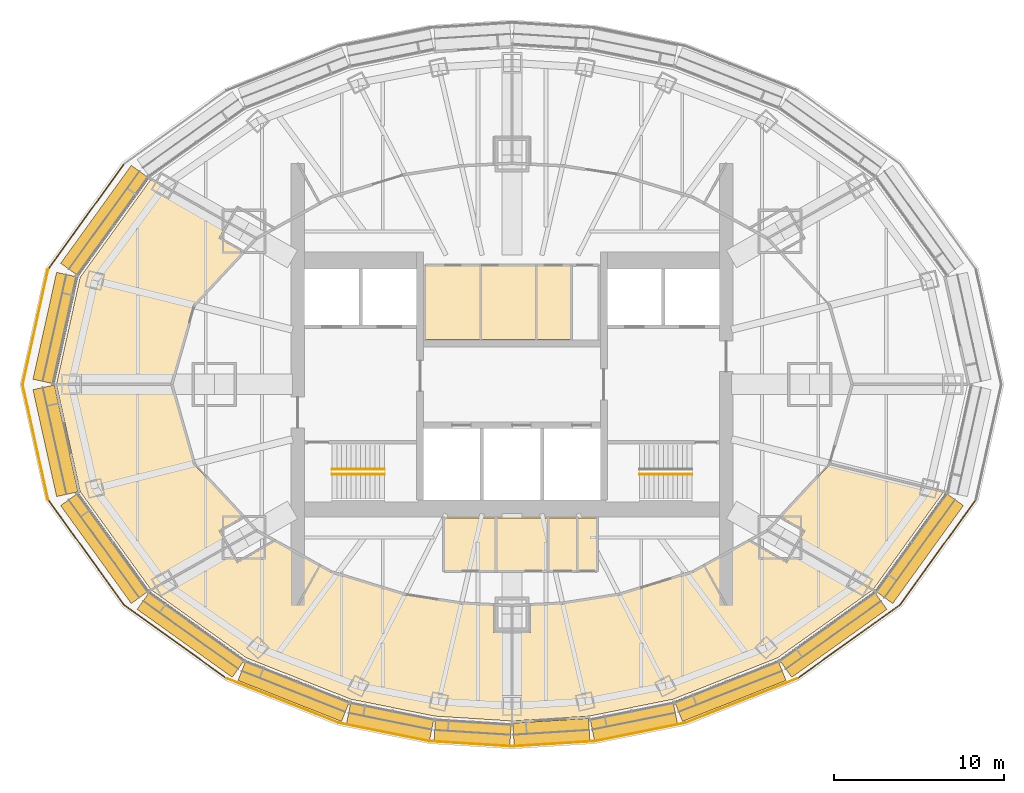
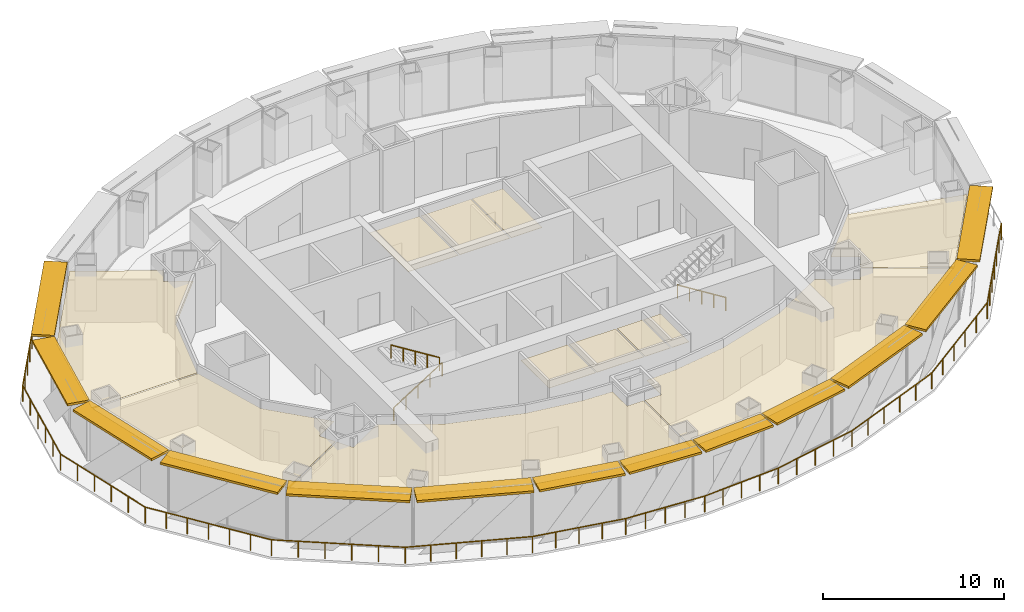
# One storey, part 16 of 17: 16 railings, 13 shading devices, 12 coverings.
"""IFC4 building model written with IfcOpenShell, lengths in metres."""

from ifc_helpers import new_model, si_unit, direction, frame, origin, origin_2d, place, context, subcontext, project, spatial, polyline, rectangle, circle, outline, extrude, material, layer, layer_set, type_object, element, save


model = new_model("IFC4")

# Units and contexts
model_context = context("Model", 3, precision=1e-05, world=origin(), true_north=direction((0.0, 1.0)))
body_context = subcontext(model_context, "Body", "Model", "MODEL_VIEW")
ifc_project = project(units=[si_unit("LENGTHUNIT", "METRE"), si_unit("AREAUNIT", "SQUARE_METRE"), si_unit("VOLUMEUNIT", "CUBIC_METRE"), si_unit("PLANEANGLEUNIT", "RADIAN"), si_unit("MASSUNIT", "GRAM", prefix="KILO")], contexts=[model_context])

# Site, building, storey
site_placement = place(None, origin())
site = spatial("IfcSite", under=ifc_project, at=site_placement, CompositionType="ELEMENT")
building_placement = place(site_placement, origin())
building = spatial("IfcBuilding", under=site, at=building_placement, Name="Lantaw Convention Tower", CompositionType="ELEMENT")
storey_placement = place(building_placement, frame((0.0, 0.0, 199.0)))
storey = spatial("IfcBuildingStorey", under=building, at=storey_placement, Name="L46", CompositionType="ELEMENT", Elevation=199.0)

# Railings
ifc_material_1 = material(Name="Stainless steel", Category="steel")
railing_type_1 = type_object("IfcRailingType", Name="Stair handrail", PredefinedType="HANDRAIL", material=ifc_material_1)
railing_1_placement = place(storey_placement, frame((-10.580078125, -5.280029296875, 0.175048828125)))
element("IfcRailing", 1, at=railing_1_placement, inside=storey, type_object=railing_type_1, Name="Stair handrail S1", PredefinedType="HANDRAIL", context=body_context, shape_type="SweptSolid", body=[
    extrude(circle(Radius=0.02392578125, at=origin_2d()), frame((0.0, 0.0, 0.8759765625), z_axis=(0.847998304005, 0.0, 0.529998940003), x_axis=(0.0, 1.0, 0.0)), (0.0, 0.0, 1.0), 3.632080078125),
    extrude(circle(Radius=0.02099609375, at=origin_2d()), origin(), (0.0, 0.0, 1.0), 0.851806640625),
    extrude(circle(Radius=0.02099609375, at=origin_2d()), frame((0.77001953125, 0.0, 0.481201171875)), (0.0, 0.0, 1.0), 0.851806640625),
    extrude(circle(Radius=0.02099609375, at=origin_2d()), frame((1.5400390625, 0.0, 0.96240234375)), (0.0, 0.0, 1.0), 0.851806640625),
    extrude(circle(Radius=0.02099609375, at=origin_2d()), frame((2.31005859375, 0.0, 1.44384765625)), (0.0, 0.0, 1.0), 0.851806640625),
    extrude(circle(Radius=0.02099609375, at=origin_2d()), frame((3.080078125, 0.0, 1.925048828125)), (0.0, 0.0, 1.0), 0.851806640625),
])
for number, where, name in (
    (2, (-7.5, -4.97998046875, 2.27490234375), "Stair handrail S1"),
    (3, (10.580078125, -5.280029296875, 0.175048828125), "Stair handrail S2"),
):
    element("IfcRailing", number, at=place(storey_placement, frame(where)), inside=storey, type_object=railing_type_1, Name=name, PredefinedType="HANDRAIL", context=body_context, shape_type="SweptSolid", body=[
        extrude(circle(Radius=0.02392578125, at=origin_2d()), frame((0.0, 0.0, 0.8759765625), z_axis=(-0.847998304005, 0.0, 0.529998940003), x_axis=(0.0, -1.0, 0.0)), (0.0, 0.0, 1.0), 3.632080078125),
        extrude(circle(Radius=0.02099609375, at=origin_2d()), origin(), (0.0, 0.0, 1.0), 0.851806640625),
        extrude(circle(Radius=0.02099609375, at=origin_2d()), frame((-0.77001953125, 0.0, 0.481201171875)), (0.0, 0.0, 1.0), 0.851806640625),
        extrude(circle(Radius=0.02099609375, at=origin_2d()), frame((-1.5400390625, 0.0, 0.96240234375)), (0.0, 0.0, 1.0), 0.851806640625),
        extrude(circle(Radius=0.02099609375, at=origin_2d()), frame((-2.31005859375, 0.0, 1.44384765625)), (0.0, 0.0, 1.0), 0.851806640625),
        extrude(circle(Radius=0.02099609375, at=origin_2d()), frame((-3.080078125, 0.0, 1.925048828125)), (0.0, 0.0, 1.0), 0.851806640625),
    ])

# Coverings
ifc_material_2 = material(Name="Gypsum board on steel suspension grid", Category="steel")
ifc_layer = layer(ifc_material_2, 0.02001953125)
ifc_layer_set = layer_set([ifc_layer], Name="Suspended ceiling")
covering_type = type_object("IfcCoveringType", Name="Suspended ceiling", PredefinedType="CEILING", material=ifc_layer_set)
covering_1_placement = place(storey_placement, frame((0.0, 0.0, 3.449951171875)))
element("IfcCovering", 4, at=covering_1_placement, inside=storey, type_object=covering_type, Name="Female WC ceiling", PredefinedType="CEILING", context=body_context, shape_type="SweptSolid", body=[
    extrude(outline(polyline([(-5.080078125, 2.639892578125), (-1.88330078125, 2.639892578125), (-1.88330078125, 6.9599609375), (-5.080078125, 6.9599609375), (-5.080078125, 2.639892578125)])), origin(), (0.0, 0.0, 1.0), 0.02001953125),
])
covering_2_placement = place(storey_placement, frame((0.0, 0.0, 3.449951171875)))
element("IfcCovering", 5, at=covering_2_placement, inside=storey, type_object=covering_type, Name="Male WC ceiling", PredefinedType="CEILING", context=body_context, shape_type="SweptSolid", body=[
    extrude(outline(polyline([(-1.80322265625, 2.639892578125), (1.3935546875, 2.639892578125), (1.3935546875, 6.9599609375), (-1.80322265625, 6.9599609375), (-1.80322265625, 2.639892578125)])), origin(), (0.0, 0.0, 1.0), 0.02001953125),
])
covering_3_placement = place(storey_placement, frame((0.0, 0.0, 3.449951171875)))
element("IfcCovering", 6, at=covering_3_placement, inside=storey, type_object=covering_type, Name="Accessible WC ceiling", PredefinedType="CEILING", context=body_context, shape_type="SweptSolid", body=[
    extrude(outline(polyline([(1.4736328125, 2.639892578125), (3.441650390625, 2.639892578125), (3.441650390625, 6.9599609375), (1.4736328125, 6.9599609375), (1.4736328125, 2.639892578125)])), origin(), (0.0, 0.0, 1.0), 0.02001953125),
])
covering_4_placement = place(storey_placement, frame((0.0, 0.0, 3.449951171875)))
element("IfcCovering", 7, at=covering_4_placement, inside=storey, type_object=covering_type, Name="Female WC ceiling", PredefinedType="CEILING", context=body_context, shape_type="SweptSolid", body=[
    extrude(outline(polyline([(-3.9599609375, -10.947021484375), (-0.97998046875, -10.947021484375), (-0.97998046875, -7.840087890625), (-3.9599609375, -7.840087890625), (-3.9599609375, -10.947021484375)])), origin(), (0.0, 0.0, 1.0), 0.02001953125),
])
covering_5_placement = place(storey_placement, frame((0.0, 0.0, 3.449951171875)))
element("IfcCovering", 8, at=covering_5_placement, inside=storey, type_object=covering_type, Name="Male WC ceiling", PredefinedType="CEILING", context=body_context, shape_type="SweptSolid", body=[
    extrude(outline(polyline([(-0.89990234375, -10.947021484375), (2.080078125, -10.947021484375), (2.080078125, -7.840087890625), (-0.89990234375, -7.840087890625), (-0.89990234375, -10.947021484375)])), origin(), (0.0, 0.0, 1.0), 0.02001953125),
])
covering_6_placement = place(storey_placement, frame((0.0, 0.0, 3.449951171875)))
element("IfcCovering", 9, at=covering_6_placement, inside=storey, type_object=covering_type, Name="Accessible WC ceiling", PredefinedType="CEILING", context=body_context, shape_type="SweptSolid", body=[
    extrude(outline(polyline([(2.159912109375, -10.947021484375), (3.7900390625, -10.947021484375), (3.7900390625, -7.840087890625), (2.159912109375, -7.840087890625), (2.159912109375, -10.947021484375)])), origin(), (0.0, 0.0, 1.0), 0.02001953125),
])
covering_7_placement = place(storey_placement, frame((0.0, 0.0, 3.449951171875)))
element("IfcCovering", 10, at=covering_7_placement, inside=storey, type_object=covering_type, Name="Pantry ceiling", PredefinedType="CEILING", context=body_context, shape_type="SweptSolid", body=[
    extrude(outline(polyline([(3.8701171875, -10.947021484375), (4.9599609375, -10.947021484375), (4.9599609375, -7.840087890625), (3.8701171875, -7.840087890625), (3.8701171875, -10.947021484375)])), origin(), (0.0, 0.0, 1.0), 0.02001953125),
])
covering_8_placement = place(storey_placement, frame((0.0, 0.0, 3.449951171875)))
element("IfcCovering", 11, at=covering_8_placement, inside=storey, type_object=covering_type, Name="Director office ceiling", PredefinedType="CEILING", context=body_context, shape_type="SweptSolid", body=[
    extrude(outline(polyline([(-18.709228515625, 4.676025390625), (-15.81884765625, 7.783935546875), (-17.237060546875, 8.594482421875), (-16.722412109375, 9.4951171875), (-21.241455078125, 12.0380859375), (-25.388916015625, 6.290283203125), (-26.77099609375, 0.0400390625), (-20.0302734375, 0.0400390625), (-18.709228515625, 4.676025390625)])), origin(), (0.0, 0.0, 1.0), 0.02001953125),
])
covering_9_placement = place(storey_placement, frame((0.0, 0.0, 3.449951171875)))
element("IfcCovering", 12, at=covering_9_placement, inside=storey, type_object=covering_type, Name="Open office ceiling", PredefinedType="CEILING", context=body_context, shape_type="SweptSolid", body=[
    extrude(outline(polyline([(-18.709228515625, -4.676025390625), (-20.0302734375, -0.0400390625), (-26.77099609375, -0.0400390625), (-25.388916015625, -6.290283203125), (-21.241455078125, -12.0380859375), (-16.722412109375, -9.4951171875), (-17.237060546875, -8.594482421875), (-15.81884765625, -7.783935546875), (-18.709228515625, -4.676025390625)])), origin(), (0.0, 0.0, 1.0), 0.02001953125),
])
covering_10_placement = place(storey_placement, frame((0.0, 0.0, 3.449951171875)))
element("IfcCovering", 13, at=covering_10_placement, inside=storey, type_object=covering_type, Name="Open office ceiling", PredefinedType="CEILING", context=body_context, shape_type="SweptSolid", body=[
    extrude(outline(polyline([(-10.6484375, -11.047607421875), (-13.945068359375, -9.22412109375), (-16.155517578125, -10.487060546875), (-16.682861328125, -9.564453125), (-21.178466796875, -12.094482421875), (-15.60498046875, -16.076416015625), (-9.472900390625, -18.504638671875), (-4.523193359375, -19.500244140625), (-0.0400390625, -19.781982421875), (-0.0400390625, -14.590087890625), (-1.090087890625, -14.590087890625), (-1.090087890625, -12.9873046875), (-2.97216796875, -12.89599609375), (-6.296875, -12.3798828125), (-10.6484375, -11.047607421875)])), origin(), (0.0, 0.0, 1.0), 0.02001953125),
])
covering_11_placement = place(storey_placement, frame((0.0, 0.0, 3.449951171875)))
element("IfcCovering", 14, at=covering_11_placement, inside=storey, type_object=covering_type, Name="Open office ceiling", PredefinedType="CEILING", context=body_context, shape_type="SweptSolid", body=[
    extrude(outline(polyline([(2.97216796875, -12.89599609375), (1.090087890625, -12.9873046875), (1.090087890625, -14.590087890625), (0.0400390625, -14.590087890625), (0.0400390625, -19.781982421875), (4.523193359375, -19.500244140625), (9.472900390625, -18.504638671875), (15.60498046875, -16.076416015625), (21.178466796875, -12.094482421875), (16.682861328125, -9.564453125), (16.155517578125, -10.487060546875), (13.945068359375, -9.22412109375), (10.6484375, -11.047607421875), (6.296875, -12.3798828125), (2.97216796875, -12.89599609375)])), origin(), (0.0, 0.0, 1.0), 0.02001953125),
])
covering_12_placement = place(storey_placement, frame((0.0, 0.0, 3.449951171875)))
element("IfcCovering", 15, at=covering_12_placement, inside=storey, type_object=covering_type, Name="Pantry ceiling", PredefinedType="CEILING", context=body_context, shape_type="SweptSolid", body=[
    extrude(outline(polyline([(18.686767578125, -4.7001953125), (15.81884765625, -7.783935546875), (17.237060546875, -8.594482421875), (16.722412109375, -9.4951171875), (21.241455078125, -12.0380859375), (25.359130859375, -6.331787109375), (18.686767578125, -4.7001953125)])), origin(), (0.0, 0.0, 1.0), 0.02001953125),
])

# Railings
ifc_material_3 = material(Name="Stainless steel posts and laminated glass, pale silver finish", Category="steel")
railing_type_2 = type_object("IfcRailingType", Name="Terrace guard railing 1100", PredefinedType="GUARDRAIL", material=ifc_material_3)
railing_2_placement = place(storey_placement, frame((-22.80810546875, 12.963623046875, 0.0)))
element("IfcRailing", 16, at=railing_2_placement, inside=storey, type_object=railing_type_2, Name="Terrace guard", PredefinedType="GUARDRAIL", context=body_context, shape_type="SweptSolid", body=[
    extrude(circle(Radius=0.02392578125, at=origin_2d()), frame((0.0, 0.0, 1.076171875), z_axis=(-0.584522554837, -0.81137746018, 0.0), x_axis=(0.81137746018, -0.584522554837, 0.0)), (0.0, 0.0, 1.0), 7.646484375),
    extrude(circle(Radius=0.02099609375, at=origin_2d()), origin(), (0.0, 0.0, 1.0), 1.052001953125),
    extrude(circle(Radius=0.02099609375, at=origin_2d()), frame((-0.744873046875, -1.033935546875, 0.0)), (0.0, 0.0, 1.0), 1.052001953125),
    extrude(circle(Radius=0.02099609375, at=origin_2d()), frame((-1.48974609375, -2.068115234375, 0.0)), (0.0, 0.0, 1.0), 1.052001953125),
    extrude(circle(Radius=0.02099609375, at=origin_2d()), frame((-2.23486328125, -3.10205078125, 0.0)), (0.0, 0.0, 1.0), 1.052001953125),
    extrude(circle(Radius=0.02099609375, at=origin_2d()), frame((-2.979736328125, -4.135986328125, 0.0)), (0.0, 0.0, 1.0), 1.052001953125),
    extrude(circle(Radius=0.02099609375, at=origin_2d()), frame((-3.724609375, -5.170166015625, 0.0)), (0.0, 0.0, 1.0), 1.052001953125),
    extrude(circle(Radius=0.02099609375, at=origin_2d()), frame((-4.469482421875, -6.2041015625, 0.0)), (0.0, 0.0, 1.0), 1.052001953125),
])
railing_3_placement = place(storey_placement, frame((-27.277587890625, 6.759521484375, 0.0)))
element("IfcRailing", 17, at=railing_3_placement, inside=storey, type_object=railing_type_2, Name="Terrace guard", PredefinedType="GUARDRAIL", context=body_context, shape_type="SweptSolid", body=[
    extrude(circle(Radius=0.02392578125, at=origin_2d()), frame((0.0, 0.0, 1.076171875), z_axis=(-0.215529841455, -0.976497254191, 0.0), x_axis=(0.976497254191, -0.215529841455, 0.0)), (0.0, 0.0, 1.0), 6.922119140625),
    extrude(circle(Radius=0.02099609375, at=origin_2d()), origin(), (0.0, 0.0, 1.0), 1.052001953125),
    extrude(circle(Radius=0.02099609375, at=origin_2d()), frame((-0.29833984375, -1.351806640625, 0.0)), (0.0, 0.0, 1.0), 1.052001953125),
    extrude(circle(Radius=0.02099609375, at=origin_2d()), frame((-0.5966796875, -2.703857421875, 0.0)), (0.0, 0.0, 1.0), 1.052001953125),
    extrude(circle(Radius=0.02099609375, at=origin_2d()), frame((-0.895263671875, -4.0556640625, 0.0)), (0.0, 0.0, 1.0), 1.052001953125),
    extrude(circle(Radius=0.02099609375, at=origin_2d()), frame((-1.193603515625, -5.40771484375, 0.0)), (0.0, 0.0, 1.0), 1.052001953125),
    extrude(circle(Radius=0.02099609375, at=origin_2d()), frame((-1.491943359375, -6.759521484375, 0.0)), (0.0, 0.0, 1.0), 1.052001953125),
])
railing_4_placement = place(storey_placement, frame((-28.76953125, 0.0, 0.0)))
element("IfcRailing", 18, at=railing_4_placement, inside=storey, type_object=railing_type_2, Name="Terrace guard", PredefinedType="GUARDRAIL", context=body_context, shape_type="SweptSolid", body=[
    extrude(circle(Radius=0.02392578125, at=origin_2d()), frame((0.0, 0.0, 1.076171875), z_axis=(0.215529841455, -0.976497254191, 0.0), x_axis=(0.976497254191, 0.215529841455, 0.0)), (0.0, 0.0, 1.0), 6.922119140625),
    extrude(circle(Radius=0.02099609375, at=origin_2d()), origin(), (0.0, 0.0, 1.0), 1.052001953125),
    extrude(circle(Radius=0.02099609375, at=origin_2d()), frame((0.29833984375, -1.351806640625, 0.0)), (0.0, 0.0, 1.0), 1.052001953125),
    extrude(circle(Radius=0.02099609375, at=origin_2d()), frame((0.5966796875, -2.703857421875, 0.0)), (0.0, 0.0, 1.0), 1.052001953125),
    extrude(circle(Radius=0.02099609375, at=origin_2d()), frame((0.895263671875, -4.0556640625, 0.0)), (0.0, 0.0, 1.0), 1.052001953125),
    extrude(circle(Radius=0.02099609375, at=origin_2d()), frame((1.193603515625, -5.40771484375, 0.0)), (0.0, 0.0, 1.0), 1.052001953125),
    extrude(circle(Radius=0.02099609375, at=origin_2d()), frame((1.491943359375, -6.759521484375, 0.0)), (0.0, 0.0, 1.0), 1.052001953125),
])
railing_5_placement = place(storey_placement, frame((-27.277587890625, -6.759521484375, 0.0)))
element("IfcRailing", 19, at=railing_5_placement, inside=storey, type_object=railing_type_2, Name="Terrace guard", PredefinedType="GUARDRAIL", context=body_context, shape_type="SweptSolid", body=[
    extrude(circle(Radius=0.02392578125, at=origin_2d()), frame((0.0, 0.0, 1.076171875), z_axis=(0.584522554837, -0.81137746018, 0.0), x_axis=(0.81137746018, 0.584522554837, 0.0)), (0.0, 0.0, 1.0), 7.646484375),
    extrude(circle(Radius=0.02099609375, at=origin_2d()), origin(), (0.0, 0.0, 1.0), 1.052001953125),
    extrude(circle(Radius=0.02099609375, at=origin_2d()), frame((0.744873046875, -1.033935546875, 0.0)), (0.0, 0.0, 1.0), 1.052001953125),
    extrude(circle(Radius=0.02099609375, at=origin_2d()), frame((1.48974609375, -2.068115234375, 0.0)), (0.0, 0.0, 1.0), 1.052001953125),
    extrude(circle(Radius=0.02099609375, at=origin_2d()), frame((2.23486328125, -3.10205078125, 0.0)), (0.0, 0.0, 1.0), 1.052001953125),
    extrude(circle(Radius=0.02099609375, at=origin_2d()), frame((2.979736328125, -4.135986328125, 0.0)), (0.0, 0.0, 1.0), 1.052001953125),
    extrude(circle(Radius=0.02099609375, at=origin_2d()), frame((3.724609375, -5.170166015625, 0.0)), (0.0, 0.0, 1.0), 1.052001953125),
    extrude(circle(Radius=0.02099609375, at=origin_2d()), frame((4.469482421875, -6.2041015625, 0.0)), (0.0, 0.0, 1.0), 1.052001953125),
])
railing_6_placement = place(storey_placement, frame((-22.80810546875, -12.963623046875, 0.0)))
element("IfcRailing", 20, at=railing_6_placement, inside=storey, type_object=railing_type_2, Name="Terrace guard", PredefinedType="GUARDRAIL", context=body_context, shape_type="SweptSolid", body=[
    extrude(circle(Radius=0.02392578125, at=origin_2d()), frame((0.0, 0.0, 1.076171875), z_axis=(0.813210772407, -0.581969277231, 0.0), x_axis=(0.581969277231, 0.813210772407, 0.0)), (0.0, 0.0, 1.0), 7.421142578125),
    extrude(circle(Radius=0.02099609375, at=origin_2d()), origin(), (0.0, 0.0, 1.0), 1.052001953125),
    extrude(circle(Radius=0.02099609375, at=origin_2d()), frame((1.20703125, -0.86376953125, 0.0)), (0.0, 0.0, 1.0), 1.052001953125),
    extrude(circle(Radius=0.02099609375, at=origin_2d()), frame((2.4140625, -1.7275390625, 0.0)), (0.0, 0.0, 1.0), 1.052001953125),
    extrude(circle(Radius=0.02099609375, at=origin_2d()), frame((3.620849609375, -2.59130859375, 0.0)), (0.0, 0.0, 1.0), 1.052001953125),
    extrude(circle(Radius=0.02099609375, at=origin_2d()), frame((4.827880859375, -3.455078125, 0.0)), (0.0, 0.0, 1.0), 1.052001953125),
    extrude(circle(Radius=0.02099609375, at=origin_2d()), frame((6.034912109375, -4.31884765625, 0.0)), (0.0, 0.0, 1.0), 1.052001953125),
])
railing_7_placement = place(storey_placement, frame((-16.773193359375, -17.282470703125, 0.0)))
element("IfcRailing", 21, at=railing_7_placement, inside=storey, type_object=railing_type_2, Name="Terrace guard", PredefinedType="GUARDRAIL", context=body_context, shape_type="SweptSolid", body=[
    extrude(circle(Radius=0.02392578125, at=origin_2d()), frame((0.0, 0.0, 1.076171875), z_axis=(0.929541680423, -0.368717051893, 0.0), x_axis=(0.368717051893, 0.929541680423, 0.0)), (0.0, 0.0, 1.0), 7.0888671875),
    extrude(circle(Radius=0.02099609375, at=origin_2d()), origin(), (0.0, 0.0, 1.0), 1.052001953125),
    extrude(circle(Radius=0.02099609375, at=origin_2d()), frame((1.31787109375, -0.522705078125, 0.0)), (0.0, 0.0, 1.0), 1.052001953125),
    extrude(circle(Radius=0.02099609375, at=origin_2d()), frame((2.6357421875, -1.04541015625, 0.0)), (0.0, 0.0, 1.0), 1.052001953125),
    extrude(circle(Radius=0.02099609375, at=origin_2d()), frame((3.95361328125, -1.568359375, 0.0)), (0.0, 0.0, 1.0), 1.052001953125),
    extrude(circle(Radius=0.02099609375, at=origin_2d()), frame((5.271484375, -2.091064453125, 0.0)), (0.0, 0.0, 1.0), 1.052001953125),
    extrude(circle(Radius=0.02099609375, at=origin_2d()), frame((6.58935546875, -2.61376953125, 0.0)), (0.0, 0.0, 1.0), 1.052001953125),
])
railing_8_placement = place(storey_placement, frame((-10.183837890625, -19.896240234375, 0.0)))
element("IfcRailing", 22, at=railing_8_placement, inside=storey, type_object=railing_type_2, Name="Terrace guard", PredefinedType="GUARDRAIL", context=body_context, shape_type="SweptSolid", body=[
    extrude(circle(Radius=0.02392578125, at=origin_2d()), frame((0.0, 0.0, 1.076171875), z_axis=(0.980301154736, -0.197508597341, 0.0), x_axis=(0.197508597341, 0.980301154736, 0.0)), (0.0, 0.0, 1.0), 5.427734375),
    extrude(circle(Radius=0.02099609375, at=origin_2d()), origin(), (0.0, 0.0, 1.0), 1.052001953125),
    extrude(circle(Radius=0.02099609375, at=origin_2d()), frame((1.330078125, -0.26806640625, 0.0)), (0.0, 0.0, 1.0), 1.052001953125),
    extrude(circle(Radius=0.02099609375, at=origin_2d()), frame((2.660400390625, -0.5361328125, 0.0)), (0.0, 0.0, 1.0), 1.052001953125),
    extrude(circle(Radius=0.02099609375, at=origin_2d()), frame((3.99072265625, -0.803955078125, 0.0)), (0.0, 0.0, 1.0), 1.052001953125),
    extrude(circle(Radius=0.02099609375, at=origin_2d()), frame((5.32080078125, -1.072021484375, 0.0)), (0.0, 0.0, 1.0), 1.052001953125),
])
railing_9_placement = place(storey_placement, frame((-4.863037109375, -20.96826171875, 0.0)))
element("IfcRailing", 23, at=railing_9_placement, inside=storey, type_object=railing_type_2, Name="Terrace guard", PredefinedType="GUARDRAIL", context=body_context, shape_type="SweptSolid", body=[
    extrude(circle(Radius=0.02392578125, at=origin_2d()), frame((0.0, 0.0, 1.076171875), z_axis=(0.998021064037, -0.062880487744, 0.0), x_axis=(0.062880487744, 0.998021064037, 0.0)), (0.0, 0.0, 1.0), 4.87255859375),
    extrude(circle(Radius=0.02099609375, at=origin_2d()), origin(), (0.0, 0.0, 1.0), 1.052001953125),
    extrude(circle(Radius=0.02099609375, at=origin_2d()), frame((1.2158203125, -0.07666015625, 0.0)), (0.0, 0.0, 1.0), 1.052001953125),
    extrude(circle(Radius=0.02099609375, at=origin_2d()), frame((2.431640625, -0.1533203125, 0.0)), (0.0, 0.0, 1.0), 1.052001953125),
    extrude(circle(Radius=0.02099609375, at=origin_2d()), frame((3.647216796875, -0.229736328125, 0.0)), (0.0, 0.0, 1.0), 1.052001953125),
    extrude(circle(Radius=0.02099609375, at=origin_2d()), frame((4.863037109375, -0.306396484375, 0.0)), (0.0, 0.0, 1.0), 1.052001953125),
])
railing_10_placement = place(storey_placement, frame((0.0, -21.274658203125, 0.0)))
element("IfcRailing", 24, at=railing_10_placement, inside=storey, type_object=railing_type_2, Name="Terrace guard", PredefinedType="GUARDRAIL", context=body_context, shape_type="SweptSolid", body=[
    extrude(circle(Radius=0.02392578125, at=origin_2d()), frame((0.0, 0.0, 1.076171875), z_axis=(0.998021064037, 0.062880487744, 0.0), x_axis=(-0.062880487744, 0.998021064037, 0.0)), (0.0, 0.0, 1.0), 4.87255859375),
    extrude(circle(Radius=0.02099609375, at=origin_2d()), origin(), (0.0, 0.0, 1.0), 1.052001953125),
    extrude(circle(Radius=0.02099609375, at=origin_2d()), frame((1.2158203125, 0.07666015625, 0.0)), (0.0, 0.0, 1.0), 1.052001953125),
    extrude(circle(Radius=0.02099609375, at=origin_2d()), frame((2.431640625, 0.1533203125, 0.0)), (0.0, 0.0, 1.0), 1.052001953125),
    extrude(circle(Radius=0.02099609375, at=origin_2d()), frame((3.647216796875, 0.229736328125, 0.0)), (0.0, 0.0, 1.0), 1.052001953125),
    extrude(circle(Radius=0.02099609375, at=origin_2d()), frame((4.863037109375, 0.306396484375, 0.0)), (0.0, 0.0, 1.0), 1.052001953125),
])
railing_11_placement = place(storey_placement, frame((4.863037109375, -20.96826171875, 0.0)))
element("IfcRailing", 25, at=railing_11_placement, inside=storey, type_object=railing_type_2, Name="Terrace guard", PredefinedType="GUARDRAIL", context=body_context, shape_type="SweptSolid", body=[
    extrude(circle(Radius=0.02392578125, at=origin_2d()), frame((0.0, 0.0, 1.076171875), z_axis=(0.980301154736, 0.197508597341, 0.0), x_axis=(-0.197508597341, 0.980301154736, 0.0)), (0.0, 0.0, 1.0), 5.427734375),
    extrude(circle(Radius=0.02099609375, at=origin_2d()), origin(), (0.0, 0.0, 1.0), 1.052001953125),
    extrude(circle(Radius=0.02099609375, at=origin_2d()), frame((1.330078125, 0.26806640625, 0.0)), (0.0, 0.0, 1.0), 1.052001953125),
    extrude(circle(Radius=0.02099609375, at=origin_2d()), frame((2.660400390625, 0.5361328125, 0.0)), (0.0, 0.0, 1.0), 1.052001953125),
    extrude(circle(Radius=0.02099609375, at=origin_2d()), frame((3.99072265625, 0.803955078125, 0.0)), (0.0, 0.0, 1.0), 1.052001953125),
    extrude(circle(Radius=0.02099609375, at=origin_2d()), frame((5.32080078125, 1.072021484375, 0.0)), (0.0, 0.0, 1.0), 1.052001953125),
])
railing_12_placement = place(storey_placement, frame((10.183837890625, -19.896240234375, 0.0)))
element("IfcRailing", 26, at=railing_12_placement, inside=storey, type_object=railing_type_2, Name="Terrace guard", PredefinedType="GUARDRAIL", context=body_context, shape_type="SweptSolid", body=[
    extrude(circle(Radius=0.02392578125, at=origin_2d()), frame((0.0, 0.0, 1.076171875), z_axis=(0.929541680423, 0.368717051893, 0.0), x_axis=(-0.368717051893, 0.929541680423, 0.0)), (0.0, 0.0, 1.0), 7.0888671875),
    extrude(circle(Radius=0.02099609375, at=origin_2d()), origin(), (0.0, 0.0, 1.0), 1.052001953125),
    extrude(circle(Radius=0.02099609375, at=origin_2d()), frame((1.31787109375, 0.522705078125, 0.0)), (0.0, 0.0, 1.0), 1.052001953125),
    extrude(circle(Radius=0.02099609375, at=origin_2d()), frame((2.6357421875, 1.04541015625, 0.0)), (0.0, 0.0, 1.0), 1.052001953125),
    extrude(circle(Radius=0.02099609375, at=origin_2d()), frame((3.95361328125, 1.568359375, 0.0)), (0.0, 0.0, 1.0), 1.052001953125),
    extrude(circle(Radius=0.02099609375, at=origin_2d()), frame((5.271484375, 2.091064453125, 0.0)), (0.0, 0.0, 1.0), 1.052001953125),
    extrude(circle(Radius=0.02099609375, at=origin_2d()), frame((6.58935546875, 2.61376953125, 0.0)), (0.0, 0.0, 1.0), 1.052001953125),
])
railing_13_placement = place(storey_placement, frame((16.773193359375, -17.282470703125, 0.0)))
element("IfcRailing", 27, at=railing_13_placement, inside=storey, type_object=railing_type_2, Name="Terrace guard", PredefinedType="GUARDRAIL", context=body_context, shape_type="SweptSolid", body=[
    extrude(circle(Radius=0.02392578125, at=origin_2d()), frame((0.0, 0.0, 1.076171875), z_axis=(0.813210772407, 0.581969277231, 0.0), x_axis=(-0.581969277231, 0.813210772407, 0.0)), (0.0, 0.0, 1.0), 7.421142578125),
    extrude(circle(Radius=0.02099609375, at=origin_2d()), origin(), (0.0, 0.0, 1.0), 1.052001953125),
    extrude(circle(Radius=0.02099609375, at=origin_2d()), frame((1.20703125, 0.86376953125, 0.0)), (0.0, 0.0, 1.0), 1.052001953125),
    extrude(circle(Radius=0.02099609375, at=origin_2d()), frame((2.4140625, 1.7275390625, 0.0)), (0.0, 0.0, 1.0), 1.052001953125),
    extrude(circle(Radius=0.02099609375, at=origin_2d()), frame((3.620849609375, 2.59130859375, 0.0)), (0.0, 0.0, 1.0), 1.052001953125),
    extrude(circle(Radius=0.02099609375, at=origin_2d()), frame((4.827880859375, 3.455078125, 0.0)), (0.0, 0.0, 1.0), 1.052001953125),
    extrude(circle(Radius=0.02099609375, at=origin_2d()), frame((6.034912109375, 4.31884765625, 0.0)), (0.0, 0.0, 1.0), 1.052001953125),
])
railing_14_placement = place(storey_placement, frame((22.80810546875, -12.963623046875, 0.0)))
element("IfcRailing", 28, at=railing_14_placement, inside=storey, type_object=railing_type_2, Name="Terrace guard", PredefinedType="GUARDRAIL", context=body_context, shape_type="SweptSolid", body=[
    extrude(circle(Radius=0.02392578125, at=origin_2d()), frame((0.0, 0.0, 1.076171875), z_axis=(0.584522554837, 0.81137746018, 0.0), x_axis=(-0.81137746018, 0.584522554837, 0.0)), (0.0, 0.0, 1.0), 7.646484375),
    extrude(circle(Radius=0.02099609375, at=origin_2d()), origin(), (0.0, 0.0, 1.0), 1.052001953125),
    extrude(circle(Radius=0.02099609375, at=origin_2d()), frame((0.744873046875, 1.033935546875, 0.0)), (0.0, 0.0, 1.0), 1.052001953125),
    extrude(circle(Radius=0.02099609375, at=origin_2d()), frame((1.48974609375, 2.068115234375, 0.0)), (0.0, 0.0, 1.0), 1.052001953125),
    extrude(circle(Radius=0.02099609375, at=origin_2d()), frame((2.23486328125, 3.10205078125, 0.0)), (0.0, 0.0, 1.0), 1.052001953125),
    extrude(circle(Radius=0.02099609375, at=origin_2d()), frame((2.979736328125, 4.135986328125, 0.0)), (0.0, 0.0, 1.0), 1.052001953125),
    extrude(circle(Radius=0.02099609375, at=origin_2d()), frame((3.724609375, 5.170166015625, 0.0)), (0.0, 0.0, 1.0), 1.052001953125),
    extrude(circle(Radius=0.02099609375, at=origin_2d()), frame((4.469482421875, 6.2041015625, 0.0)), (0.0, 0.0, 1.0), 1.052001953125),
])

# Shading devices
shading_device_1_placement = place(storey_placement, frame((-23.935791015625, 9.624267578125, 3.905029296875), z_axis=(0.0, 0.0, 1.0), x_axis=(-0.585157643865, -0.810919559405, 0.0)))
element("IfcShadingDevice", 29, at=shading_device_1_placement, inside=storey, Name="SUNSHADE blade", ObjectType="SUNSHADE", PredefinedType="USERDEFINED", context=body_context, shape_type="SweptSolid", body=[
    extrude(rectangle(XDim=7.0966796875, YDim=1.284912109375, at=origin_2d()), origin(), (0.0, 0.0, 1.0), 0.14990234375),
])
for number, where, z_axis, x_axis, name in (
    (30, (-26.839111328125, 3.310546875, 3.905029296875), (0.0, 0.0, 1.0), (-0.215891333626, -0.976417396437, 0.0), "SUNSHADE blade"),
    (31, (-26.839111328125, -3.310546875, 3.905029296875), (0.0, 0.0, 1.0), (0.215891333626, -0.976417396437, 0.0), "SUNSHADE blade"),
):
    element("IfcShadingDevice", number, at=place(storey_placement, frame(where, z_axis=z_axis, x_axis=x_axis)), inside=storey, Name=name, ObjectType="SUNSHADE", PredefinedType="USERDEFINED", context=body_context, shape_type="SweptSolid", body=[
        extrude(rectangle(XDim=6.434326171875, YDim=1.284912109375, at=origin_2d()), origin(), (0.0, 0.0, 1.0), 0.14990234375),
    ])
shading_device_2_placement = place(storey_placement, frame((-23.935791015625, -9.624267578125, 3.905029296875), z_axis=(0.0, 0.0, 1.0), x_axis=(0.585157643865, -0.810919559405, 0.0)))
element("IfcShadingDevice", 32, at=shading_device_2_placement, inside=storey, Name="SUNSHADE blade", ObjectType="SUNSHADE", PredefinedType="USERDEFINED", context=body_context, shape_type="SweptSolid", body=[
    extrude(rectangle(XDim=7.0966796875, YDim=1.284912109375, at=origin_2d()), origin(), (0.0, 0.0, 1.0), 0.14990234375),
])
shading_device_3_placement = place(storey_placement, frame((-18.867431640625, -14.695068359375, 3.905029296875), z_axis=(0.0, 0.0, 1.0), x_axis=(0.813672540482, -0.581323487281, 0.0)))
element("IfcShadingDevice", 33, at=shading_device_3_placement, inside=storey, Name="SUNSHADE blade", ObjectType="SUNSHADE", PredefinedType="USERDEFINED", context=body_context, shape_type="SweptSolid", body=[
    extrude(rectangle(XDim=6.867919921875, YDim=1.284912109375, at=origin_2d()), origin(), (0.0, 0.0, 1.0), 0.14990234375),
])
shading_device_4_placement = place(storey_placement, frame((-12.82666015625, -18.007568359375, 3.905029296875), z_axis=(0.0, 0.0, 1.0), x_axis=(0.929761533743, -0.368162315252, 0.0)))
element("IfcShadingDevice", 34, at=shading_device_4_placement, inside=storey, Name="SUNSHADE blade", ObjectType="SUNSHADE", PredefinedType="USERDEFINED", context=body_context, shape_type="SweptSolid", body=[
    extrude(rectangle(XDim=6.541015625, YDim=1.284912109375, at=origin_2d()), origin(), (0.0, 0.0, 1.0), 0.14990234375),
])
shading_device_5_placement = place(storey_placement, frame((-7.152587890625, -19.75927734375, 3.905029296875), z_axis=(0.0, 0.0, 1.0), x_axis=(0.980366679695, -0.197183095987, 0.0)))
element("IfcShadingDevice", 35, at=shading_device_5_placement, inside=storey, Name="SUNSHADE blade", ObjectType="SUNSHADE", PredefinedType="USERDEFINED", context=body_context, shape_type="SweptSolid", body=[
    extrude(rectangle(XDim=4.982421875, YDim=1.284912109375, at=origin_2d()), origin(), (0.0, 0.0, 1.0), 0.14990234375),
])
for number, where, z_axis, x_axis, name in (
    (36, (-2.310546875, -20.413330078125, 3.905029296875), (0.0, 0.0, 1.0), (0.998028774865, -0.062757983884, 0.0), "SUNSHADE blade"),
    (37, (2.310546875, -20.413330078125, 3.905029296875), (0.0, 0.0, 1.0), (0.998028774865, 0.062757983884, 0.0), "SUNSHADE blade"),
):
    element("IfcShadingDevice", number, at=place(storey_placement, frame(where, z_axis=z_axis, x_axis=x_axis)), inside=storey, Name=name, ObjectType="SUNSHADE", PredefinedType="USERDEFINED", context=body_context, shape_type="SweptSolid", body=[
        extrude(rectangle(XDim=4.460205078125, YDim=1.284912109375, at=origin_2d()), origin(), (0.0, 0.0, 1.0), 0.14990234375),
    ])
shading_device_6_placement = place(storey_placement, frame((7.152587890625, -19.75927734375, 3.905029296875), z_axis=(0.0, 0.0, 1.0), x_axis=(0.980366679695, 0.197183095987, 0.0)))
element("IfcShadingDevice", 38, at=shading_device_6_placement, inside=storey, Name="SUNSHADE blade", ObjectType="SUNSHADE", PredefinedType="USERDEFINED", context=body_context, shape_type="SweptSolid", body=[
    extrude(rectangle(XDim=4.982421875, YDim=1.284912109375, at=origin_2d()), origin(), (0.0, 0.0, 1.0), 0.14990234375),
])
shading_device_7_placement = place(storey_placement, frame((12.82666015625, -18.007568359375, 3.905029296875), z_axis=(0.0, 0.0, 1.0), x_axis=(0.929761533743, 0.368162315252, 0.0)))
element("IfcShadingDevice", 39, at=shading_device_7_placement, inside=storey, Name="SUNSHADE blade", ObjectType="SUNSHADE", PredefinedType="USERDEFINED", context=body_context, shape_type="SweptSolid", body=[
    extrude(rectangle(XDim=6.541015625, YDim=1.284912109375, at=origin_2d()), origin(), (0.0, 0.0, 1.0), 0.14990234375),
])
shading_device_8_placement = place(storey_placement, frame((18.867431640625, -14.695068359375, 3.905029296875), z_axis=(0.0, 0.0, 1.0), x_axis=(0.813672540482, 0.581323487281, 0.0)))
element("IfcShadingDevice", 40, at=shading_device_8_placement, inside=storey, Name="SUNSHADE blade", ObjectType="SUNSHADE", PredefinedType="USERDEFINED", context=body_context, shape_type="SweptSolid", body=[
    extrude(rectangle(XDim=6.867919921875, YDim=1.284912109375, at=origin_2d()), origin(), (0.0, 0.0, 1.0), 0.14990234375),
])
shading_device_9_placement = place(storey_placement, frame((23.935791015625, -9.624267578125, 3.905029296875), z_axis=(0.0, 0.0, 1.0), x_axis=(0.585157643865, 0.810919559405, 0.0)))
element("IfcShadingDevice", 41, at=shading_device_9_placement, inside=storey, Name="SUNSHADE blade", ObjectType="SUNSHADE", PredefinedType="USERDEFINED", context=body_context, shape_type="SweptSolid", body=[
    extrude(rectangle(XDim=7.0966796875, YDim=1.284912109375, at=origin_2d()), origin(), (0.0, 0.0, 1.0), 0.14990234375),
])

save(model, "model.ifc")
